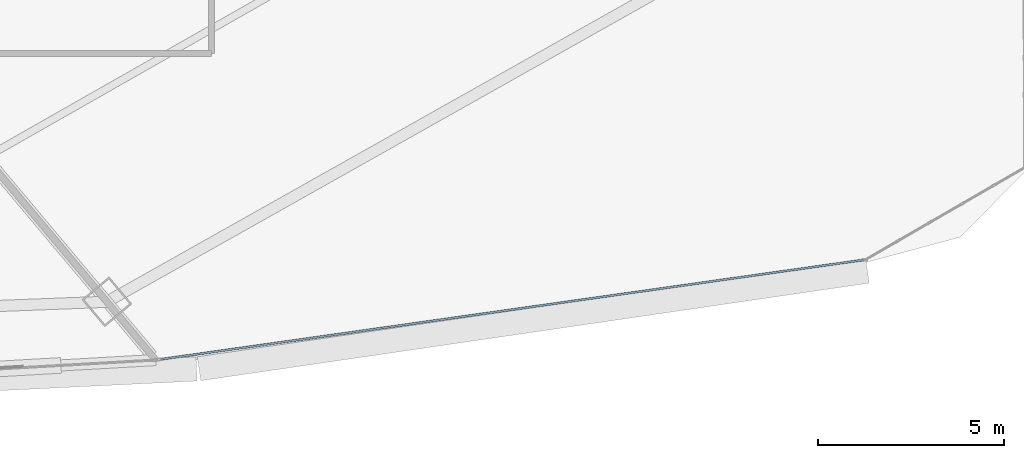
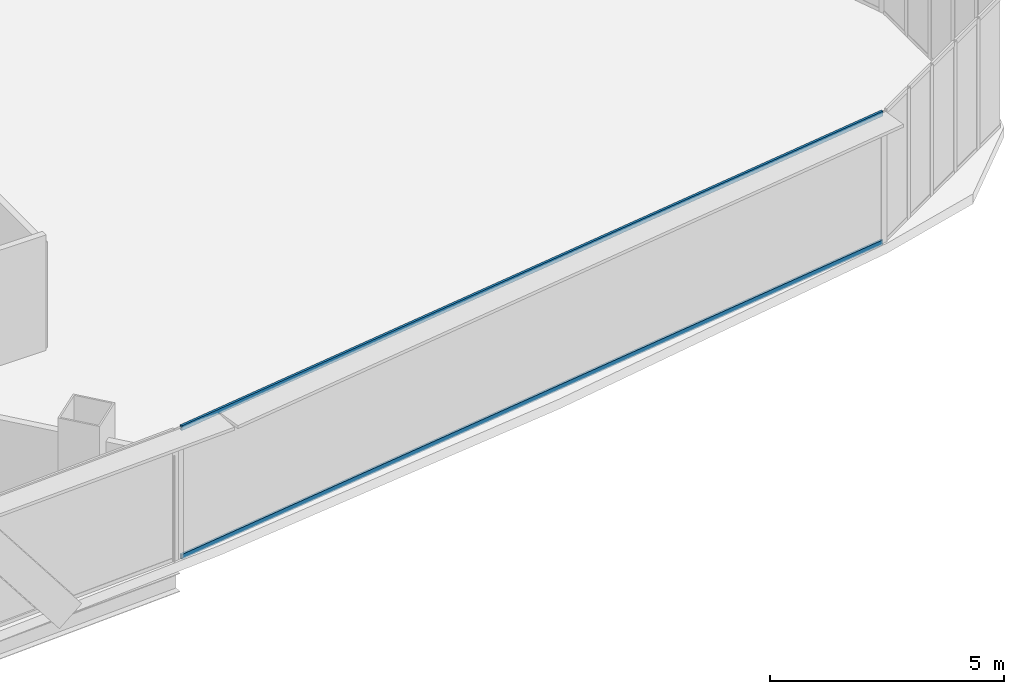
# One storey, part 21 of 42: 2 members, 1 element without a shape of its own.
"""IFC4 building model written with IfcOpenShell, lengths in metres."""

from ifc_helpers import new_model, si_unit, direction, frame, origin, origin_2d, place, context, subcontext, project, spatial, hollow_rectangle, extrude, source, transform, mapped, material, layer, layer_set, material_profile, profile_set, type_object, element, aggregate, save


model = new_model("IFC4")

# Units and contexts
model_context = context("Model", 3, precision=1e-05, world=origin(), true_north=direction((0.0, 1.0)))
body_context = subcontext(model_context, "Body", "Model", "MODEL_VIEW")
ifc_project = project(units=[si_unit("LENGTHUNIT", "METRE"), si_unit("AREAUNIT", "SQUARE_METRE"), si_unit("VOLUMEUNIT", "CUBIC_METRE"), si_unit("PLANEANGLEUNIT", "RADIAN"), si_unit("MASSUNIT", "GRAM", prefix="KILO"), si_unit("THERMODYNAMICTEMPERATUREUNIT", "KELVIN"), si_unit("POWERUNIT", "WATT")], contexts=[model_context])

# Site, building, storey
site_placement = place(None, origin())
site = spatial("IfcSite", under=ifc_project, at=site_placement, CompositionType="ELEMENT")
building_placement = place(site_placement, origin())
building = spatial("IfcBuilding", under=site, at=building_placement, Name="Yunzhuo Pagoda Commons", CompositionType="ELEMENT")
storey_placement = place(building_placement, frame((0.0, 0.0, 133.510009765625)))
storey = spatial("IfcBuildingStorey", under=building, at=storey_placement, Name="L33", CompositionType="ELEMENT", Elevation=133.510009765625)

# Curtain wall, members
ifc_material = material(Name="Anodized aluminium 6063-T6", Category="aluminium")
ifc_layer = layer(ifc_material, 0.14990234375)
ifc_layer_set = layer_set([ifc_layer], Name="Anodized aluminium 6063-T6")
curtain_wall_type = type_object("IfcCurtainWallType", Name="CW-MID Mid-Zone Ribbon Curtain Wall", PredefinedType="NOTDEFINED", material=ifc_layer_set)
curtain_wall_placement = place(storey_placement, origin())
curtain_wall = element("IfcCurtainWall", 1, at=curtain_wall_placement, inside=storey, type_object=curtain_wall_type, Name="L33 curtain wall CW-L33-F1B5", PredefinedType="NOTDEFINED")
ifc_material_profile = material_profile(ifc_material, hollow_rectangle(XDim=0.054931640625, YDim=0.1298828125, WallThickness=0.00341796875, at=origin_2d()), Name="Anodized aluminium 6063-T6")
ifc_profile_set = profile_set([ifc_material_profile], Name="Anodized aluminium 6063-T6")
member_type = type_object("IfcMemberType", Name="CW-MID-T Transom RHS 130x55x3.5", PredefinedType="USERDEFINED", material=ifc_profile_set)
shared_shape = source(origin(), body_context, "Body", "SweptSolid", [
    extrude(hollow_rectangle(XDim=0.054931640625, YDim=0.1298828125, WallThickness=0.00341796875, at=origin_2d()), origin(), (0.0, 0.0, 1.0), 19.068603515625),
])
member_1_placement = place(storey_placement, frame((65.031982421875, 13.580322265625, 0.027587890625), z_axis=(0.990147224482, 0.140030260479, 0.0), x_axis=(-0.140030260479, 0.990147224482, 0.0)))
member_1 = element("IfcMember", 2, at=member_1_placement, type_object=member_type, Name="CW transom 1.1", ObjectType="TRANSOM", PredefinedType="USERDEFINED", context=body_context, shape_type="MappedRepresentation", body=[
    mapped(shared_shape, transform((0.0, 0.0, 0.0), scale=1.0)),
])
member_2_placement = place(storey_placement, frame((65.031982421875, 13.580322265625, 3.392578125), z_axis=(0.990147224482, 0.140030260479, 0.0), x_axis=(-0.140030260479, 0.990147224482, 0.0)))
member_2 = element("IfcMember", 3, at=member_2_placement, type_object=member_type, Name="CW transom 1.2", ObjectType="TRANSOM", PredefinedType="USERDEFINED", context=body_context, shape_type="MappedRepresentation", body=[
    mapped(shared_shape, transform((0.0, 0.0, 0.0), scale=1.0)),
])
aggregate(curtain_wall, [member_1, member_2])

save(model, "model.ifc")
